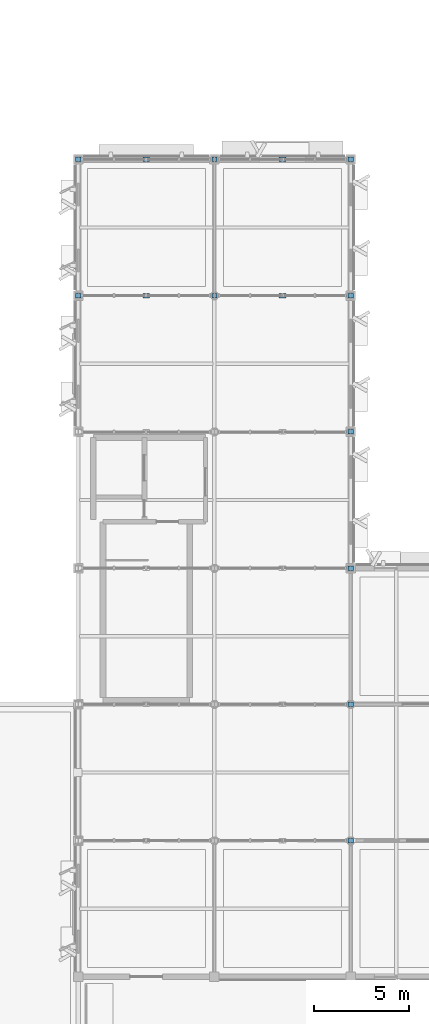
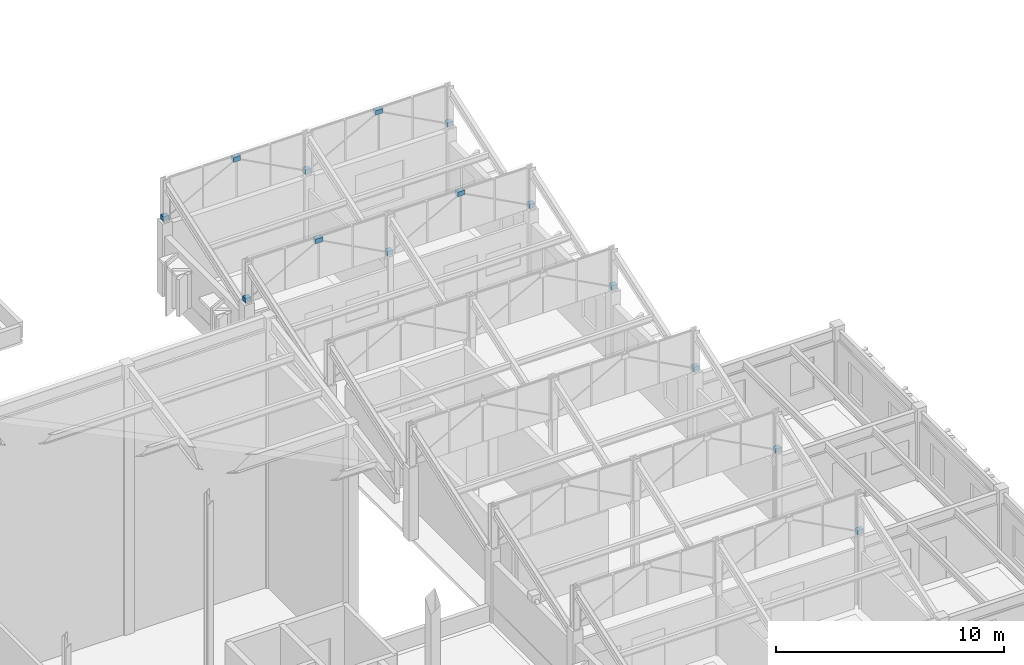
# One storey, part 30 of 82: 14 plates.
"""IFC4 building model written with IfcOpenShell, lengths in metres."""

from ifc_helpers import new_model, si_unit, direction, frame, origin, origin_2d, place, context, subcontext, project, spatial, rectangle, extrude, material, type_object, element, save


model = new_model("IFC4")

# Units and contexts
model_context = context("Model", 3, precision=1e-05, world=origin(), true_north=direction((0.0, 1.0)))
body_context = subcontext(model_context, "Body", "Model", "MODEL_VIEW")
ifc_project = project(units=[si_unit("LENGTHUNIT", "METRE"), si_unit("AREAUNIT", "SQUARE_METRE"), si_unit("VOLUMEUNIT", "CUBIC_METRE"), si_unit("PLANEANGLEUNIT", "RADIAN"), si_unit("MASSUNIT", "GRAM", prefix="KILO")], contexts=[model_context])

# Site, building, storey
site_placement = place(None, origin())
site = spatial("IfcSite", under=ifc_project, at=site_placement, CompositionType="ELEMENT")
building_placement = place(site_placement, origin())
building = spatial("IfcBuilding", under=site, at=building_placement, Name="Sillqori Civic Hall", CompositionType="ELEMENT")
storey_placement = place(building_placement, frame((0.0, 0.0, 14.10009765625)))
storey = spatial("IfcBuildingStorey", under=building, at=storey_placement, Name="L04", CompositionType="ELEMENT", Elevation=14.10009765625)

# Plates
ifc_material = material(Name="Steel ASTM A36", Category="steel")
plate_type_1 = type_object("IfcPlateType", Name="PLT-NODE-240", PredefinedType="SHEET", material=ifc_material)
for number, where, z_axis, x_axis, name in (
    (1, (136.800048828125, 43.199951171875, 3.9296875), (0.0, 0.0, 1.0), (1.0, 0.0, 0.0), "Clerestory strut base gusset plate R 18-5"),
    (2, (136.800048828125, 50.39990234375, 3.9296875), (0.0, 0.0, 1.0), (1.0, 0.0, 0.0), "Clerestory strut base gusset plate R 18-6"),
    (3, (136.800048828125, 57.60009765625, 3.9296875), (0.0, 0.0, 1.0), (1.0, 0.0, 0.0), "Clerestory strut base gusset plate R 18-7"),
    (4, (136.800048828125, 64.800048828125, 3.9296875), (0.0, 0.0, 1.0), (1.0, 0.0, 0.0), "Clerestory strut base gusset plate R 18-8"),
    (5, (122.39990234375, 72.0, 3.9296875), (0.0, 0.0, 1.0), (1.0, 0.0, 0.0), "Clerestory strut base gusset plate L 17-9"),
    (6, (129.60009765625, 72.0, 3.9296875), (0.0, 0.0, 1.0), (1.0, 0.0, 0.0), "Clerestory strut base gusset plate R 17-9"),
    (7, (136.800048828125, 72.0, 3.9296875), (0.0, 0.0, 1.0), (1.0, 0.0, 0.0), "Clerestory strut base gusset plate R 18-9"),
    (8, (122.39990234375, 79.199951171875, 3.9296875), (0.0, 0.0, 1.0), (1.0, 0.0, 0.0), "Clerestory strut base gusset plate L 17-10"),
    (9, (129.60009765625, 79.199951171875, 3.9296875), (0.0, 0.0, 1.0), (1.0, 0.0, 0.0), "Clerestory strut base gusset plate R 17-10"),
    (10, (136.800048828125, 79.199951171875, 3.9296875), (0.0, 0.0, 1.0), (1.0, 0.0, 0.0), "Clerestory strut base gusset plate R 18-10"),
):
    element("IfcPlate", number, at=place(storey_placement, frame(where, z_axis=z_axis, x_axis=x_axis)), inside=storey, type_object=plate_type_1, Name=name, PredefinedType="SHEET", context=body_context, shape_type="SweptSolid", body=[
        extrude(rectangle(XDim=0.280029296875, YDim=0.239990234375, at=origin_2d()), origin(), (0.0, 0.0, 1.0), 0.239990234375),
    ])
plate_type_2 = type_object("IfcPlateType", Name="PLT-NODE-360", PredefinedType="SHEET", material=ifc_material)
for number, where, z_axis, x_axis, name in (
    (11, (126.0, 72.0, 5.85009765625), (0.0, 0.0, 1.0), (1.0, 0.0, 0.0), "Clerestory truss node cap plate 17-9"),
    (12, (133.199951171875, 72.0, 5.85009765625), (0.0, 0.0, 1.0), (1.0, 0.0, 0.0), "Clerestory truss node cap plate 18-9"),
    (13, (126.0, 79.199951171875, 5.85009765625), (0.0, 0.0, 1.0), (1.0, 0.0, 0.0), "Clerestory truss node cap plate 17-10"),
    (14, (133.199951171875, 79.199951171875, 5.85009765625), (0.0, 0.0, 1.0), (1.0, 0.0, 0.0), "Clerestory truss node cap plate 18-10"),
):
    element("IfcPlate", number, at=place(storey_placement, frame(where, z_axis=z_axis, x_axis=x_axis)), inside=storey, type_object=plate_type_2, Name=name, PredefinedType="SHEET", context=body_context, shape_type="SweptSolid", body=[
        extrude(rectangle(XDim=0.360107421875, YDim=0.239990234375, at=origin_2d()), origin(), (0.0, 0.0, 1.0), 0.239990234375),
    ])

save(model, "model.ifc")
